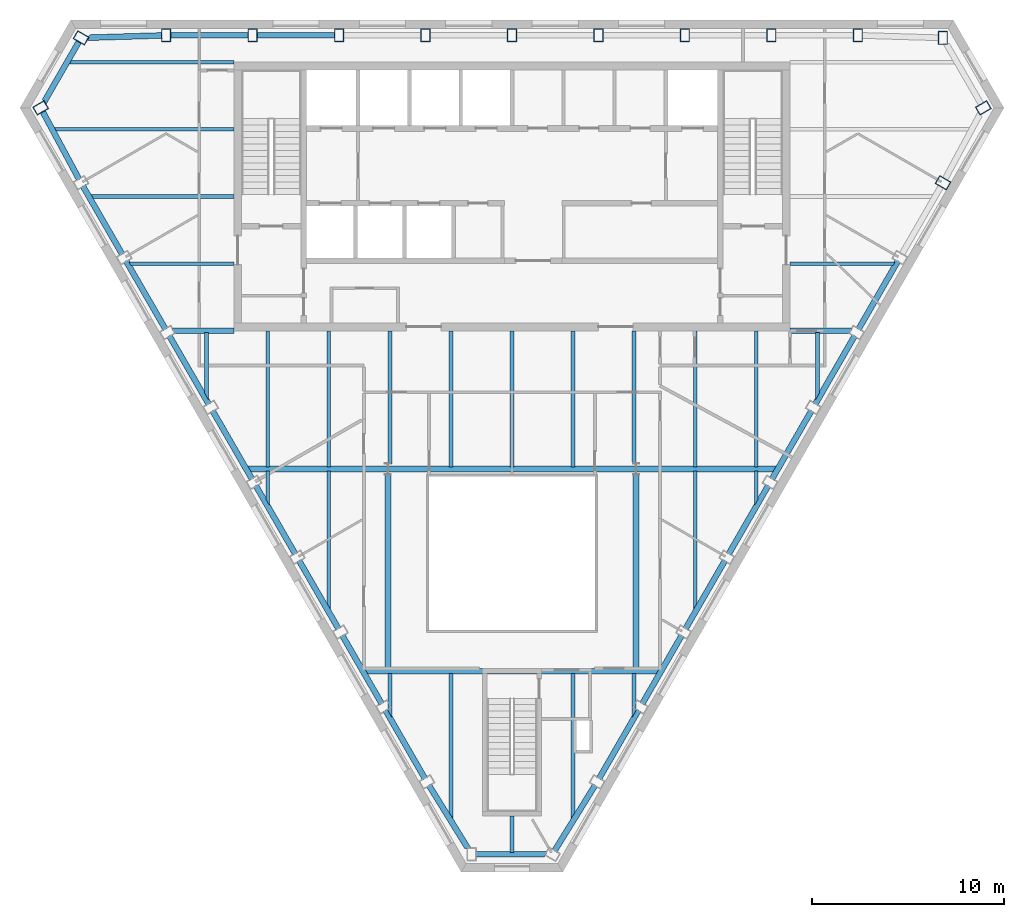
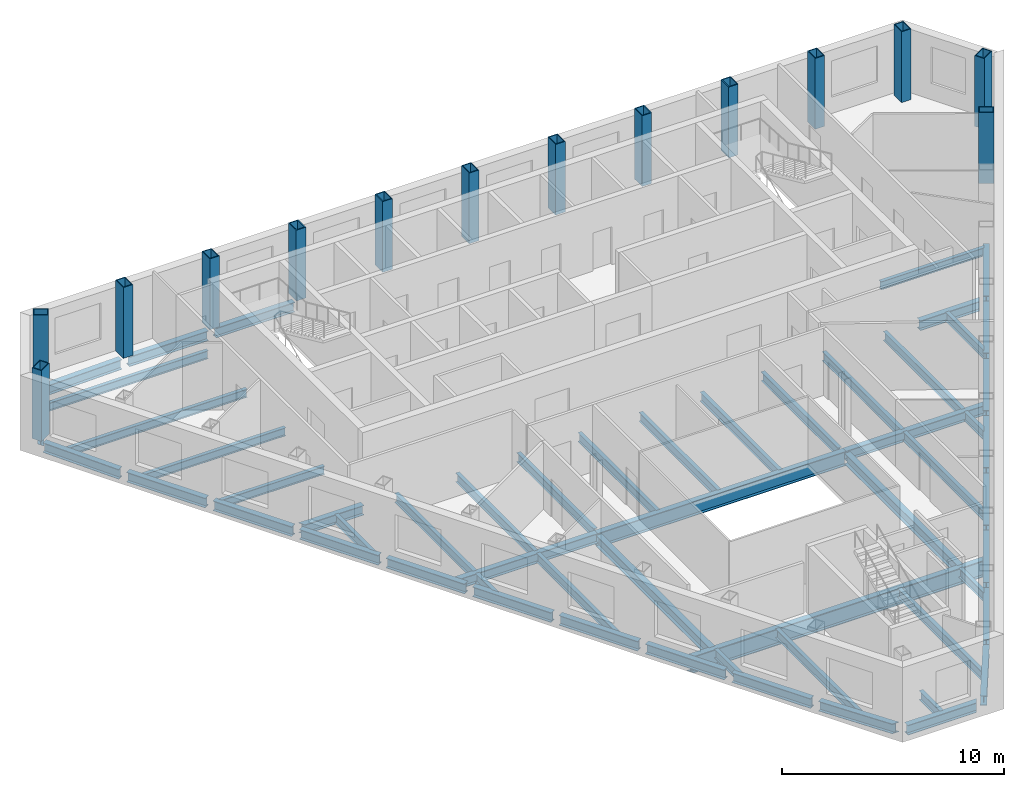
# One storey, part 2 of 10: 56 beams, 14 columns.
"""IFC4 building model written with IfcOpenShell, lengths in metres."""

from ifc_helpers import new_model, si_unit, direction, frame, origin, origin_2d, place, context, subcontext, project, spatial, hollow_rectangle, i_section, extrude, clip, halfspace, material, material_profile, profile_set, type_object, element, save


model = new_model("IFC4")

# Units and contexts
model_context = context("Model", 3, precision=1e-05, world=origin(), true_north=direction((0.0, 1.0)))
body_context = subcontext(model_context, "Body", "Model", "MODEL_VIEW")
ifc_project = project(units=[si_unit("LENGTHUNIT", "METRE"), si_unit("AREAUNIT", "SQUARE_METRE"), si_unit("VOLUMEUNIT", "CUBIC_METRE"), si_unit("PLANEANGLEUNIT", "RADIAN"), si_unit("MASSUNIT", "GRAM", prefix="KILO")], contexts=[model_context])

# Site, building, storey
site_placement = place(None, origin())
site = spatial("IfcSite", under=ifc_project, at=site_placement, CompositionType="ELEMENT")
building_placement = place(site_placement, origin())
building = spatial("IfcBuilding", under=site, at=building_placement, Name="Njiva Tower", CompositionType="ELEMENT")
storey_placement = place(building_placement, frame((0.0, 0.0, 288.3)))
storey = spatial("IfcBuildingStorey", under=building, at=storey_placement, Name="L66", CompositionType="ELEMENT", Elevation=288.3)

# Columns
ifc_material = material(Name="Steel S355 J2", Category="steel")
ifc_material_profile_1 = material_profile(ifc_material, hollow_rectangle(XDim=0.5, YDim=0.7, WallThickness=0.045, at=origin_2d()), Name="BOX 700x500x45")
ifc_profile_set_1 = profile_set([ifc_material_profile_1], Name="Steel S355 J2")
column_type = type_object("IfcColumnType", Name="C13 Perimeter tube column BOX 700x500x45", PredefinedType="COLUMN", material=ifc_profile_set_1)
for number, where, z_axis, x_axis, name in (
    (1, (22.461, 19.267, 0.0), (0.0, 0.0, 1.0), (-1.0, 0.0, 0.0), "Perimeter tube column S21-C01"),
    (2, (18.03, 19.4, 0.0), (0.0, 0.0, 1.0), (-1.0, 0.0, 0.0), "Perimeter tube column S21-C02"),
    (3, (13.523, 19.4, 0.0), (0.0, 0.0, 1.0), (-1.0, 0.0, 0.0), "Perimeter tube column S21-C03"),
    (4, (9.015, 19.4, 0.0), (0.0, 0.0, 1.0), (-1.0, 0.0, 0.0), "Perimeter tube column S21-C04"),
    (5, (4.508, 19.4, 0.0), (0.0, 0.0, 1.0), (-1.0, 0.0, 0.0), "Perimeter tube column S21-C05"),
    (6, (0.0, 19.4, 0.0), (0.0, 0.0, 1.0), (-1.0, 0.0, 0.0), "Perimeter tube column S21-C06"),
    (7, (-4.508, 19.4, 0.0), (0.0, 0.0, 1.0), (-1.0, 0.0, 0.0), "Perimeter tube column S21-C07"),
    (8, (-9.015, 19.4, 0.0), (0.0, 0.0, 1.0), (-1.0, 0.0, 0.0), "Perimeter tube column S21-C08"),
    (9, (-13.523, 19.4, 0.0), (0.0, 0.0, 1.0), (-1.0, 0.0, 0.0), "Perimeter tube column S21-C09"),
    (10, (-18.03, 19.4, 0.0), (0.0, 0.0, 1.0), (-1.0, 0.0, 0.0), "Perimeter tube column S21-C10"),
    (11, (-22.461, 19.267, 0.0), (0.0, 0.0, 1.0), (-0.5, -0.866025403784, 0.0), "Perimeter tube column S21-C11"),
    (12, (-24.568, 15.619, 0.0), (0.0, 0.0, 1.0), (0.5, -0.866025403784, 0.0), "Perimeter tube column S21-C12"),
    (13, (22.467, 11.715, 0.0), (0.0, 0.0, 1.0), (0.5, 0.866025403784, 0.0), "Perimeter tube column S21-C32"),
    (14, (24.568, 15.619, 0.0), (0.0, 0.0, 1.0), (-0.5, 0.866025403784, 0.0), "Perimeter tube column S21-C33"),
):
    element("IfcColumn", number, at=place(storey_placement, frame(where, z_axis=z_axis, x_axis=x_axis)), inside=storey, type_object=column_type, Name=name, PredefinedType="COLUMN", context=body_context, shape_type="SweptSolid", body=[
        extrude(hollow_rectangle(XDim=0.5, YDim=0.7, WallThickness=0.045, at=origin_2d()), origin(), (0.0, 0.0, 1.0), 3.9),
    ])

# Beams
ifc_material_profile_2 = material_profile(ifc_material, i_section(OverallWidth=0.3, OverallDepth=0.59, WebThickness=0.013, FlangeThickness=0.025, at=origin_2d()), Name="HEA 600")
ifc_profile_set_2 = profile_set([ifc_material_profile_2], Name="Steel S355 J2")
beam_type_1 = type_object("IfcBeamType", Name="B30 Long-span atrium trimmer beam HEA 600", PredefinedType="BEAM", material=ifc_profile_set_2)
for number, where, z_axis, x_axis, name in (
    (15, (6.47, -13.649, -0.495), (0.0, 1.0, 0.0), (-1.0, 0.0, 0.0), "Long-span atrium trimmer beam S21-B065"),
    (16, (-6.47, -3.45, -0.495), (0.0, -1.0, 0.0), (1.0, 0.0, 0.0), "Long-span atrium trimmer beam S21-B062"),
):
    element("IfcBeam", number, at=place(storey_placement, frame(where, z_axis=z_axis, x_axis=x_axis)), inside=storey, type_object=beam_type_1, Name=name, PredefinedType="BEAM", context=body_context, shape_type="SweptSolid", body=[
        extrude(i_section(OverallWidth=0.3, OverallDepth=0.59, WebThickness=0.013, FlangeThickness=0.025, at=origin_2d()), origin(), (0.0, 0.0, 1.0), 10.199),
    ])
ifc_material_profile_3 = material_profile(ifc_material, i_section(OverallWidth=0.19, OverallDepth=0.45, WebThickness=0.0094, FlangeThickness=0.0146, at=origin_2d()), Name="IPE 450")
ifc_profile_set_3 = profile_set([ifc_material_profile_3], Name="Steel S355 J2")
beam_type_2 = type_object("IfcBeamType", Name="B37 Floor beam to the core IPE 450", PredefinedType="BEAM", material=ifc_profile_set_3)
beam_1_placement = place(storey_placement, frame((-19.993, 7.5, -0.425), z_axis=(1.0, 0.0, 0.0), x_axis=(0.0, 1.0, 0.0)))
element("IfcBeam", 17, at=beam_1_placement, inside=storey, type_object=beam_type_2, Name="Floor beam to the core S21-B005", PredefinedType="BEAM", context=body_context, shape_type="Clipping", body=[
    clip(extrude(i_section(OverallWidth=0.19, OverallDepth=0.45, WebThickness=0.0094, FlangeThickness=0.0146, at=origin_2d()), origin(), (0.0, 0.0, 1.0), 5.493), halfspace(frame((-0.025, 0.0, 0.089), z_axis=(-0.499998009787, 0.0, -0.866026552831), x_axis=(0.0, -1.0, 0.0)), False)),
])
beam_2_placement = place(storey_placement, frame((14.5, 7.5, -0.425), z_axis=(1.0, 0.0, 0.0), x_axis=(0.0, 1.0, 0.0)))
element("IfcBeam", 18, at=beam_2_placement, inside=storey, type_object=beam_type_2, Name="Floor beam to the core S21-B006", PredefinedType="BEAM", context=body_context, shape_type="Clipping", body=[
    clip(extrude(i_section(OverallWidth=0.19, OverallDepth=0.45, WebThickness=0.0094, FlangeThickness=0.0146, at=origin_2d()), origin(), (0.0, 0.0, 1.0), 5.493), halfspace(frame((-0.025, 0.0, 5.404), z_axis=(-0.499998009787, 0.0, 0.866026552831), x_axis=(0.0, 1.0, 0.0)), False)),
])
beam_3_placement = place(storey_placement, frame((-22.014, 11.0, -0.425), z_axis=(1.0, 0.0, 0.0), x_axis=(0.0, 1.0, 0.0)))
element("IfcBeam", 19, at=beam_3_placement, inside=storey, type_object=beam_type_2, Name="Floor beam to the core S21-B003", PredefinedType="BEAM", context=body_context, shape_type="Clipping", body=[
    clip(extrude(i_section(OverallWidth=0.19, OverallDepth=0.45, WebThickness=0.0094, FlangeThickness=0.0146, at=origin_2d()), origin(), (0.0, 0.0, 1.0), 7.514), halfspace(frame((-0.025, 0.0, 0.0893), z_axis=(-0.499998009787, 0.0, -0.866026552831), x_axis=(0.0, -1.0, 0.0)), False)),
])
beam_4_placement = place(storey_placement, frame((-23.923, 14.5, -0.425), z_axis=(1.0, 0.0, 0.0), x_axis=(0.0, 1.0, 0.0)))
element("IfcBeam", 20, at=beam_4_placement, inside=storey, type_object=beam_type_2, Name="Floor beam to the core S21-B001", PredefinedType="BEAM", context=body_context, shape_type="Clipping", body=[
    clip(extrude(i_section(OverallWidth=0.19, OverallDepth=0.45, WebThickness=0.0094, FlangeThickness=0.0146, at=origin_2d()), origin(), (0.0, 0.0, 1.0), 9.423), halfspace(frame((-0.0237, 0.0, 0.0836), z_axis=(-0.473769423091, 0.0, -0.880648927634), x_axis=(0.0, -1.0, 0.0)), False)),
])
beam_5_placement = place(storey_placement, frame((-23.152, 18.0, -0.425), z_axis=(1.0, 0.0, 0.0), x_axis=(0.0, 1.0, 0.0)))
element("IfcBeam", 21, at=beam_5_placement, inside=storey, type_object=beam_type_2, Name="Floor beam to the core S21-B002", PredefinedType="BEAM", context=body_context, shape_type="Clipping", body=[
    clip(extrude(i_section(OverallWidth=0.19, OverallDepth=0.45, WebThickness=0.0094, FlangeThickness=0.0146, at=origin_2d()), origin(), (0.0, 0.0, 1.0), 8.652), halfspace(frame((0.025, 0.0, 0.0892), z_axis=(0.499998009787, 0.0, -0.866026552831), x_axis=(0.0, -1.0, 0.0)), False)),
])
ifc_material_profile_4 = material_profile(ifc_material, i_section(OverallWidth=0.3, OverallDepth=0.54, WebThickness=0.0125, FlangeThickness=0.024, at=origin_2d()), Name="HEA 550")
ifc_profile_set_4 = profile_set([ifc_material_profile_4], Name="Steel S355 J2")
beam_type_3 = type_object("IfcBeamType", Name="B39 Short-span spandrel beam HEA 550", PredefinedType="SPANDREL", material=ifc_profile_set_4)
beam_6_placement = place(storey_placement, frame((-9.215, 19.4, -0.47), z_axis=(-1.0, 0.0, 0.0), x_axis=(0.0, -1.0, 0.0)))
element("IfcBeam", 22, at=beam_6_placement, inside=storey, type_object=beam_type_3, Name="Short-span spandrel beam S21-B082", PredefinedType="SPANDREL", context=body_context, shape_type="SweptSolid", body=[
    extrude(i_section(OverallWidth=0.3, OverallDepth=0.54, WebThickness=0.0125, FlangeThickness=0.024, at=origin_2d()), origin(), (0.0, 0.0, 1.0), 4.108),
])
beam_7_placement = place(storey_placement, frame((-13.723, 19.4, -0.47), z_axis=(-1.0, 0.0, 0.0), x_axis=(0.0, -1.0, 0.0)))
element("IfcBeam", 23, at=beam_7_placement, inside=storey, type_object=beam_type_3, Name="Short-span spandrel beam S21-B077", PredefinedType="SPANDREL", context=body_context, shape_type="SweptSolid", body=[
    extrude(i_section(OverallWidth=0.3, OverallDepth=0.54, WebThickness=0.0125, FlangeThickness=0.024, at=origin_2d()), origin(), (0.0, 0.0, 1.0), 4.107),
])
beam_8_placement = place(storey_placement, frame((-18.234, 19.394, -0.47), z_axis=(-0.999544486246, -0.030179794811, 0.0), x_axis=(0.030179794811, -0.999544486246, 0.0)))
element("IfcBeam", 24, at=beam_8_placement, inside=storey, type_object=beam_type_3, Name="Short-span spandrel beam S21-B073", PredefinedType="SPANDREL", context=body_context, shape_type="Clipping", body=[
    clip(extrude(i_section(OverallWidth=0.3, OverallDepth=0.54, WebThickness=0.0125, FlangeThickness=0.024, at=origin_2d()), origin(), (0.0, 0.0, 1.0), 3.9898), halfspace(frame((-0.0268, 0.0, 3.86), z_axis=(-0.525906757481, 0.0, 0.850542228484), x_axis=(0.0, 1.0, 0.0)), False)),
])
beam_9_placement = place(storey_placement, frame((-22.561, 19.094, -0.47), z_axis=(-0.499864094838, -0.866103854449, 0.0), x_axis=(0.866103854449, -0.499864094838, 0.0)))
element("IfcBeam", 25, at=beam_9_placement, inside=storey, type_object=beam_type_3, Name="Short-span spandrel beam S21-B070", PredefinedType="SPANDREL", context=body_context, shape_type="Clipping", body=[
    clip(extrude(i_section(OverallWidth=0.3, OverallDepth=0.54, WebThickness=0.0125, FlangeThickness=0.024, at=origin_2d()), origin(), (0.0, 0.0, 1.0), 3.774), halfspace(frame((-0.0257, 0.0, 3.6524), z_axis=(-0.50013788288, 0.0, 0.86594578243), x_axis=(0.0, 1.0, 0.0)), False)),
])
beam_10_placement = place(storey_placement, frame((-24.471, 15.44, -0.47), z_axis=(0.47364061681, -0.880718210387, 0.0), x_axis=(0.880718210387, 0.47364061681, 0.0)))
element("IfcBeam", 26, at=beam_10_placement, inside=storey, type_object=beam_type_3, Name="Short-span spandrel beam S21-B068", PredefinedType="SPANDREL", context=body_context, shape_type="SweptSolid", body=[
    extrude(i_section(OverallWidth=0.3, OverallDepth=0.54, WebThickness=0.0125, FlangeThickness=0.024, at=origin_2d()), origin(), (0.0, 0.0, 1.0), 4.0263),
])
beam_11_placement = place(storey_placement, frame((-22.367, 11.542, -0.47), z_axis=(0.499778651271, -0.866153161822, 0.0), x_axis=(0.866153161822, 0.499778651271, 0.0)))
element("IfcBeam", 27, at=beam_11_placement, inside=storey, type_object=beam_type_3, Name="Short-span spandrel beam S21-B071", PredefinedType="SPANDREL", context=body_context, shape_type="SweptSolid", body=[
    extrude(i_section(OverallWidth=0.3, OverallDepth=0.54, WebThickness=0.0125, FlangeThickness=0.024, at=origin_2d()), origin(), (0.0, 0.0, 1.0), 4.1078),
])
beam_12_placement = place(storey_placement, frame((-20.114, 7.638, -0.47), z_axis=(0.500066662559, -0.865986912717, 0.0), x_axis=(0.865986912717, 0.500066662559, 0.0)))
element("IfcBeam", 28, at=beam_12_placement, inside=storey, type_object=beam_type_3, Name="Short-span spandrel beam S21-B074", PredefinedType="SPANDREL", context=body_context, shape_type="SweptSolid", body=[
    extrude(i_section(OverallWidth=0.3, OverallDepth=0.54, WebThickness=0.0125, FlangeThickness=0.024, at=origin_2d()), origin(), (0.0, 0.0, 1.0), 4.1075),
])
for number, where, z_axis, x_axis, name in (
    (29, (-17.86, 3.735, -0.47), (0.499961250474, -0.866047774678, 0.0), (0.866047774678, 0.499961250474, 0.0), "Short-span spandrel beam S21-B076"),
    (30, (-15.606, -0.169, -0.47), (0.499961250474, -0.866047774678, 0.0), (0.866047774678, 0.499961250474, 0.0), "Short-span spandrel beam S21-B079"),
    (31, (-13.352, -4.073, -0.47), (0.499961250474, -0.866047774678, 0.0), (0.866047774678, 0.499961250474, 0.0), "Short-span spandrel beam S21-B081"),
):
    element("IfcBeam", number, at=place(storey_placement, frame(where, z_axis=z_axis, x_axis=x_axis)), inside=storey, type_object=beam_type_3, Name=name, PredefinedType="SPANDREL", context=body_context, shape_type="SweptSolid", body=[
        extrude(i_section(OverallWidth=0.3, OverallDepth=0.54, WebThickness=0.0125, FlangeThickness=0.024, at=origin_2d()), origin(), (0.0, 0.0, 1.0), 4.1083),
    ])
beam_13_placement = place(storey_placement, frame((-11.098, -7.977, -0.47), z_axis=(0.49988405051, -0.866092336905, 0.0), x_axis=(0.866092336905, 0.49988405051, 0.0)))
element("IfcBeam", 32, at=beam_13_placement, inside=storey, type_object=beam_type_3, Name="Short-span spandrel beam S21-B084", PredefinedType="SPANDREL", context=body_context, shape_type="SweptSolid", body=[
    extrude(i_section(OverallWidth=0.3, OverallDepth=0.54, WebThickness=0.0125, FlangeThickness=0.024, at=origin_2d()), origin(), (0.0, 0.0, 1.0), 4.107),
])
for number, where, z_axis, x_axis, name in (
    (33, (-8.845, -11.88, -0.47), (0.499961250474, -0.866047774678, 0.0), (0.866047774678, 0.499961250474, 0.0), "Short-span spandrel beam S21-B086"),
    (34, (-6.591, -15.784, -0.47), (0.499961250474, -0.866047774678, 0.0), (0.866047774678, 0.499961250474, 0.0), "Short-span spandrel beam S21-B089"),
):
    element("IfcBeam", number, at=place(storey_placement, frame(where, z_axis=z_axis, x_axis=x_axis)), inside=storey, type_object=beam_type_3, Name=name, PredefinedType="SPANDREL", context=body_context, shape_type="SweptSolid", body=[
        extrude(i_section(OverallWidth=0.3, OverallDepth=0.54, WebThickness=0.0125, FlangeThickness=0.024, at=origin_2d()), origin(), (0.0, 0.0, 1.0), 4.1083),
    ])
beam_14_placement = place(storey_placement, frame((-4.33, -19.688, -0.47), z_axis=(0.525794946338, -0.850611353325, 0.0), x_axis=(0.850611353325, 0.525794946338, 0.0)))
element("IfcBeam", 35, at=beam_14_placement, inside=storey, type_object=beam_type_3, Name="Short-span spandrel beam S21-B091", PredefinedType="SPANDREL", context=body_context, shape_type="Clipping", body=[
    clip(extrude(i_section(OverallWidth=0.3, OverallDepth=0.54, WebThickness=0.0125, FlangeThickness=0.024, at=origin_2d()), origin(), (0.0, 0.0, 1.0), 3.989), halfspace(frame((-0.0262, 0.0, 3.8598), z_axis=(-0.525794946338, 0.0, 0.850611353325), x_axis=(0.0, 1.0, 0.0)), False)),
])
beam_15_placement = place(storey_placement, frame((-1.906, -23.285, -0.47), z_axis=(1.0, 0.0, 0.0), x_axis=(0.0, 1.0, 0.0)))
element("IfcBeam", 36, at=beam_15_placement, inside=storey, type_object=beam_type_3, Name="Short-span spandrel beam S21-B095", PredefinedType="SPANDREL", context=body_context, shape_type="Clipping", body=[
    clip(extrude(i_section(OverallWidth=0.3, OverallDepth=0.54, WebThickness=0.0125, FlangeThickness=0.024, at=origin_2d()), origin(), (0.0, 0.0, 1.0), 3.772), halfspace(frame((-0.0253, 0.0, 3.651), z_axis=(-0.499998009787, 0.0, 0.866026552831), x_axis=(0.0, 1.0, 0.0)), False)),
])
beam_16_placement = place(storey_placement, frame((2.214, -23.112, -0.47), z_axis=(0.525704437341, 0.850667293694, 0.0), x_axis=(-0.850667293694, 0.525704437341, 0.0)))
element("IfcBeam", 37, at=beam_16_placement, inside=storey, type_object=beam_type_3, Name="Short-span spandrel beam S21-B098", PredefinedType="SPANDREL", context=body_context, shape_type="SweptSolid", body=[
    extrude(i_section(OverallWidth=0.3, OverallDepth=0.54, WebThickness=0.0125, FlangeThickness=0.024, at=origin_2d()), origin(), (0.0, 0.0, 1.0), 4.0251),
])
for number, where, z_axis, x_axis, name in (
    (38, (4.537, -19.342, -0.47), (0.499961250474, 0.866047774678, 0.0), (-0.866047774678, 0.499961250474, 0.0), "Short-span spandrel beam S21-B100"),
    (39, (6.791, -15.438, -0.47), (0.499961250474, 0.866047774678, 0.0), (-0.866047774678, 0.499961250474, 0.0), "Short-span spandrel beam S21-B103"),
):
    element("IfcBeam", number, at=place(storey_placement, frame(where, z_axis=z_axis, x_axis=x_axis)), inside=storey, type_object=beam_type_3, Name=name, PredefinedType="SPANDREL", context=body_context, shape_type="SweptSolid", body=[
        extrude(i_section(OverallWidth=0.3, OverallDepth=0.54, WebThickness=0.0125, FlangeThickness=0.024, at=origin_2d()), origin(), (0.0, 0.0, 1.0), 4.1083),
    ])
beam_17_placement = place(storey_placement, frame((9.045, -11.534, -0.47), z_axis=(0.49988405051, 0.866092336905, 0.0), x_axis=(-0.866092336905, 0.49988405051, 0.0)))
element("IfcBeam", 40, at=beam_17_placement, inside=storey, type_object=beam_type_3, Name="Short-span spandrel beam S21-B105", PredefinedType="SPANDREL", context=body_context, shape_type="SweptSolid", body=[
    extrude(i_section(OverallWidth=0.3, OverallDepth=0.54, WebThickness=0.0125, FlangeThickness=0.024, at=origin_2d()), origin(), (0.0, 0.0, 1.0), 4.107),
])
for number, where, z_axis, x_axis, name in (
    (41, (11.298, -7.631, -0.47), (0.499961250474, 0.866047774678, 0.0), (-0.866047774678, 0.499961250474, 0.0), "Short-span spandrel beam S21-B108"),
    (42, (13.552, -3.727, -0.47), (0.499961250474, 0.866047774678, 0.0), (-0.866047774678, 0.499961250474, 0.0), "Short-span spandrel beam S21-B110"),
    (43, (15.806, 0.177, -0.47), (0.499961250474, 0.866047774678, 0.0), (-0.866047774678, 0.499961250474, 0.0), "Short-span spandrel beam S21-B113"),
):
    element("IfcBeam", number, at=place(storey_placement, frame(where, z_axis=z_axis, x_axis=x_axis)), inside=storey, type_object=beam_type_3, Name=name, PredefinedType="SPANDREL", context=body_context, shape_type="SweptSolid", body=[
        extrude(i_section(OverallWidth=0.3, OverallDepth=0.54, WebThickness=0.0125, FlangeThickness=0.024, at=origin_2d()), origin(), (0.0, 0.0, 1.0), 4.1083),
    ])
beam_18_placement = place(storey_placement, frame((18.06, 4.081, -0.47), z_axis=(0.500066662559, 0.865986912717, 0.0), x_axis=(-0.865986912717, 0.500066662559, 0.0)))
element("IfcBeam", 44, at=beam_18_placement, inside=storey, type_object=beam_type_3, Name="Short-span spandrel beam S21-B115", PredefinedType="SPANDREL", context=body_context, shape_type="SweptSolid", body=[
    extrude(i_section(OverallWidth=0.3, OverallDepth=0.54, WebThickness=0.0125, FlangeThickness=0.024, at=origin_2d()), origin(), (0.0, 0.0, 1.0), 4.1075),
])
ifc_material_profile_5 = material_profile(ifc_material, i_section(OverallWidth=0.3, OverallDepth=0.54, WebThickness=0.0125, FlangeThickness=0.024, at=origin_2d()), Name="HEA 550")
ifc_profile_set_5 = profile_set([ifc_material_profile_5], Name="Steel S355 J2")
beam_type_4 = type_object("IfcBeamType", Name="B40 Floor girder HEA 550", PredefinedType="BEAM", material=ifc_profile_set_5)
beam_19_placement = place(storey_placement, frame((-13.848, -3.2, -0.47), z_axis=(1.0, 0.0, 0.0), x_axis=(0.0, 1.0, 0.0)))
element("IfcBeam", 45, at=beam_19_placement, inside=storey, type_object=beam_type_4, Name="Floor girder S21-B013", PredefinedType="BEAM", context=body_context, shape_type="Clipping", body=[
    clip(extrude(i_section(OverallWidth=0.3, OverallDepth=0.54, WebThickness=0.0125, FlangeThickness=0.024, at=origin_2d()), origin(), (0.0, 0.0, 1.0), 7.378), halfspace(frame((-0.025, 0.0, 0.1217), z_axis=(-0.499998009787, 0.0, -0.866026552831), x_axis=(0.0, -1.0, 0.0)), False)),
])
beam_20_placement = place(storey_placement, frame((6.47, -3.2, -0.47), z_axis=(1.0, 0.0, 0.0), x_axis=(0.0, 1.0, 0.0)))
element("IfcBeam", 46, at=beam_20_placement, inside=storey, type_object=beam_type_4, Name="Floor girder S21-B014", PredefinedType="BEAM", context=body_context, shape_type="Clipping", body=[
    clip(extrude(i_section(OverallWidth=0.3, OverallDepth=0.54, WebThickness=0.0125, FlangeThickness=0.024, at=origin_2d()), origin(), (0.0, 0.0, 1.0), 7.378), halfspace(frame((-0.025, 0.0, 7.2563), z_axis=(-0.499998009787, 0.0, 0.866026552831), x_axis=(0.0, 1.0, 0.0)), False)),
])
ifc_material_profile_6 = material_profile(ifc_material, i_section(OverallWidth=0.3, OverallDepth=0.54, WebThickness=0.0125, FlangeThickness=0.024, at=origin_2d()), Name="HEA 550")
ifc_profile_set_6 = profile_set([ifc_material_profile_6], Name="Steel S355 J2")
beam_type_5 = type_object("IfcBeamType", Name="B41 Short-span floor girder HEA 550", PredefinedType="BEAM", material=ifc_profile_set_6)
beam_21_placement = place(storey_placement, frame((-17.774, 4.0, -0.47), z_axis=(1.0, 0.0, 0.0), x_axis=(0.0, 1.0, 0.0)))
element("IfcBeam", 47, at=beam_21_placement, inside=storey, type_object=beam_type_5, Name="Short-span floor girder S21-B012", PredefinedType="BEAM", context=body_context, shape_type="Clipping", body=[
    clip(extrude(i_section(OverallWidth=0.3, OverallDepth=0.54, WebThickness=0.0125, FlangeThickness=0.024, at=origin_2d()), origin(), (0.0, 0.0, 1.0), 3.274), halfspace(frame((-0.025, 0.0, 0.1217), z_axis=(-0.499998009787, 0.0, -0.866026552831), x_axis=(0.0, -1.0, 0.0)), False)),
])
beam_22_placement = place(storey_placement, frame((14.5, 4.0, -0.47), z_axis=(1.0, 0.0, 0.0), x_axis=(0.0, 1.0, 0.0)))
element("IfcBeam", 48, at=beam_22_placement, inside=storey, type_object=beam_type_5, Name="Short-span floor girder S21-B015", PredefinedType="BEAM", context=body_context, shape_type="Clipping", body=[
    clip(extrude(i_section(OverallWidth=0.3, OverallDepth=0.54, WebThickness=0.0125, FlangeThickness=0.024, at=origin_2d()), origin(), (0.0, 0.0, 1.0), 3.274), halfspace(frame((-0.025, 0.0, 3.1523), z_axis=(-0.499998009787, 0.0, 0.866026552831), x_axis=(0.0, 1.0, 0.0)), False)),
])
ifc_material_profile_7 = material_profile(ifc_material, i_section(OverallWidth=0.2, OverallDepth=0.5, WebThickness=0.0102, FlangeThickness=0.016, at=origin_2d()), Name="IPE 500")
ifc_profile_set_7 = profile_set([ifc_material_profile_7], Name="Steel S355 J2")
beam_type_6 = type_object("IfcBeamType", Name="B42 Short-span floor joist IPE 500", PredefinedType="JOIST", material=ifc_profile_set_7)
beam_23_placement = place(storey_placement, frame((-15.917, 3.9, -0.45), z_axis=(0.0, -1.0, 0.0), x_axis=(1.0, 0.0, 0.0)))
element("IfcBeam", 49, at=beam_23_placement, inside=storey, type_object=beam_type_6, Name="Short-span floor joist S21-B041", PredefinedType="JOIST", context=body_context, shape_type="Clipping", body=[
    clip(extrude(i_section(OverallWidth=0.2, OverallDepth=0.5, WebThickness=0.0102, FlangeThickness=0.016, at=origin_2d()), origin(), (0.0, 0.0, 1.0), 3.524), halfspace(frame((-0.043, 0.0, 3.2562), z_axis=(-0.866026552831, 0.0, 0.499998009787), x_axis=(0.0, 1.0, 0.0)), False)),
])
beam_24_placement = place(storey_placement, frame((-12.733, -3.3, -0.45), z_axis=(0.0, -1.0, 0.0), x_axis=(1.0, 0.0, 0.0)))
element("IfcBeam", 50, at=beam_24_placement, inside=storey, type_object=beam_type_6, Name="Short-span floor joist S21-B042", PredefinedType="JOIST", context=body_context, shape_type="Clipping", body=[
    clip(extrude(i_section(OverallWidth=0.2, OverallDepth=0.5, WebThickness=0.0102, FlangeThickness=0.016, at=origin_2d()), origin(), (0.0, 0.0, 1.0), 1.838), halfspace(frame((-0.0436, 0.0, 1.5699), z_axis=(-0.866026552831, 0.0, 0.499998009787), x_axis=(0.0, 1.0, 0.0)), False)),
])
beam_25_placement = place(storey_placement, frame((-6.367, -13.851, -0.45), z_axis=(0.0, -1.0, 0.0), x_axis=(1.0, 0.0, 0.0)))
element("IfcBeam", 51, at=beam_25_placement, inside=storey, type_object=beam_type_6, Name="Short-span floor joist S21-B046", PredefinedType="JOIST", context=body_context, shape_type="Clipping", body=[
    clip(extrude(i_section(OverallWidth=0.2, OverallDepth=0.5, WebThickness=0.0102, FlangeThickness=0.016, at=origin_2d()), origin(), (0.0, 0.0, 1.0), 2.314), halfspace(frame((-0.043, 0.0, 2.0463), z_axis=(-0.866026552831, 0.0, 0.499998009787), x_axis=(0.0, 1.0, 0.0)), False)),
])
beam_26_placement = place(storey_placement, frame((0.0, -21.3, -0.45), z_axis=(0.0, -1.0, 0.0), x_axis=(1.0, 0.0, 0.0)))
element("IfcBeam", 52, at=beam_26_placement, inside=storey, type_object=beam_type_6, Name="Short-span floor joist S21-B050", PredefinedType="JOIST", context=body_context, shape_type="SweptSolid", body=[
    extrude(i_section(OverallWidth=0.2, OverallDepth=0.5, WebThickness=0.0102, FlangeThickness=0.016, at=origin_2d()), origin(), (0.0, 0.0, 1.0), 1.885),
])
beam_27_placement = place(storey_placement, frame((6.367, -13.851, -0.45), z_axis=(0.0, -1.0, 0.0), x_axis=(1.0, 0.0, 0.0)))
element("IfcBeam", 53, at=beam_27_placement, inside=storey, type_object=beam_type_6, Name="Short-span floor joist S21-B054", PredefinedType="JOIST", context=body_context, shape_type="Clipping", body=[
    clip(extrude(i_section(OverallWidth=0.2, OverallDepth=0.5, WebThickness=0.0102, FlangeThickness=0.016, at=origin_2d()), origin(), (0.0, 0.0, 1.0), 2.314), halfspace(frame((0.043, 0.0, 2.0463), z_axis=(0.866026552831, 0.0, 0.499998009787), x_axis=(0.0, 1.0, 0.0)), False)),
])
beam_28_placement = place(storey_placement, frame((12.733, -3.3, -0.45), z_axis=(0.0, -1.0, 0.0), x_axis=(1.0, 0.0, 0.0)))
element("IfcBeam", 54, at=beam_28_placement, inside=storey, type_object=beam_type_6, Name="Short-span floor joist S21-B058", PredefinedType="JOIST", context=body_context, shape_type="Clipping", body=[
    clip(extrude(i_section(OverallWidth=0.2, OverallDepth=0.5, WebThickness=0.0102, FlangeThickness=0.016, at=origin_2d()), origin(), (0.0, 0.0, 1.0), 1.838), halfspace(frame((0.0436, 0.0, 1.5699), z_axis=(0.866026552831, 0.0, 0.499998009787), x_axis=(0.0, 1.0, 0.0)), False)),
])
beam_29_placement = place(storey_placement, frame((15.917, 3.9, -0.45), z_axis=(0.0, -1.0, 0.0), x_axis=(1.0, 0.0, 0.0)))
element("IfcBeam", 55, at=beam_29_placement, inside=storey, type_object=beam_type_6, Name="Short-span floor joist S21-B060", PredefinedType="JOIST", context=body_context, shape_type="Clipping", body=[
    clip(extrude(i_section(OverallWidth=0.2, OverallDepth=0.5, WebThickness=0.0102, FlangeThickness=0.016, at=origin_2d()), origin(), (0.0, 0.0, 1.0), 3.524), halfspace(frame((0.043, 0.0, 3.2562), z_axis=(0.866026552831, 0.0, 0.499998009787), x_axis=(0.0, 1.0, 0.0)), False)),
])
ifc_material_profile_8 = material_profile(ifc_material, i_section(OverallWidth=0.2, OverallDepth=0.5, WebThickness=0.0102, FlangeThickness=0.016, at=origin_2d()), Name="IPE 500")
ifc_profile_set_8 = profile_set([ifc_material_profile_8], Name="Steel S355 J2")
beam_type_7 = type_object("IfcBeamType", Name="B43 Floor joist IPE 500", PredefinedType="JOIST", material=ifc_profile_set_8)
for number, where, z_axis, x_axis, name in (
    (56, (-12.733, 3.995, -0.45), (0.0, -1.0, 0.0), (1.0, 0.0, 0.0), "Floor joist S21-B043"),
    (57, (-9.55, 3.995, -0.45), (0.0, -1.0, 0.0), (1.0, 0.0, 0.0), "Floor joist S21-B045"),
):
    element("IfcBeam", number, at=place(storey_placement, frame(where, z_axis=z_axis, x_axis=x_axis)), inside=storey, type_object=beam_type_7, Name=name, PredefinedType="JOIST", context=body_context, shape_type="SweptSolid", body=[
        extrude(i_section(OverallWidth=0.2, OverallDepth=0.5, WebThickness=0.0102, FlangeThickness=0.016, at=origin_2d()), origin(), (0.0, 0.0, 1.0), 7.095),
    ])
beam_30_placement = place(storey_placement, frame((-9.55, -3.3, -0.45), z_axis=(0.0, -1.0, 0.0), x_axis=(1.0, 0.0, 0.0)))
element("IfcBeam", 58, at=beam_30_placement, inside=storey, type_object=beam_type_7, Name="Floor joist S21-B044", PredefinedType="JOIST", context=body_context, shape_type="Clipping", body=[
    clip(extrude(i_section(OverallWidth=0.2, OverallDepth=0.5, WebThickness=0.0102, FlangeThickness=0.016, at=origin_2d()), origin(), (0.0, 0.0, 1.0), 7.352), halfspace(frame((-0.0433, 0.0, 7.0836), z_axis=(-0.866026552831, 0.0, 0.499998009787), x_axis=(0.0, 1.0, 0.0)), False)),
])
beam_31_placement = place(storey_placement, frame((-6.367, 3.995, -0.45), z_axis=(0.0, -1.0, 0.0), x_axis=(1.0, 0.0, 0.0)))
element("IfcBeam", 59, at=beam_31_placement, inside=storey, type_object=beam_type_7, Name="Floor joist S21-B047", PredefinedType="JOIST", context=body_context, shape_type="SweptSolid", body=[
    extrude(i_section(OverallWidth=0.2, OverallDepth=0.5, WebThickness=0.0102, FlangeThickness=0.016, at=origin_2d()), origin(), (0.0, 0.0, 1.0), 6.945),
])
beam_32_placement = place(storey_placement, frame((-3.183, 3.995, -0.45), z_axis=(0.0, -1.0, 0.0), x_axis=(1.0, 0.0, 0.0)))
element("IfcBeam", 60, at=beam_32_placement, inside=storey, type_object=beam_type_7, Name="Floor joist S21-B049", PredefinedType="JOIST", context=body_context, shape_type="SweptSolid", body=[
    extrude(i_section(OverallWidth=0.2, OverallDepth=0.5, WebThickness=0.0102, FlangeThickness=0.016, at=origin_2d()), origin(), (0.0, 0.0, 1.0), 7.095),
])
beam_33_placement = place(storey_placement, frame((-3.183, -13.851, -0.45), z_axis=(0.0, -1.0, 0.0), x_axis=(1.0, 0.0, 0.0)))
element("IfcBeam", 61, at=beam_33_placement, inside=storey, type_object=beam_type_7, Name="Floor joist S21-B048", PredefinedType="JOIST", context=body_context, shape_type="Clipping", body=[
    clip(extrude(i_section(OverallWidth=0.2, OverallDepth=0.5, WebThickness=0.0102, FlangeThickness=0.016, at=origin_2d()), origin(), (0.0, 0.0, 1.0), 7.684), halfspace(frame((-0.0429, 0.0, 7.4328), z_axis=(-0.850620428373, 0.0, 0.525780264783), x_axis=(0.0, 1.0, 0.0)), False)),
])
for number, where, z_axis, x_axis, name in (
    (62, (0.0, 3.995, -0.45), (0.0, -1.0, 0.0), (1.0, 0.0, 0.0), "Floor joist S21-B051"),
    (63, (3.183, 3.995, -0.45), (0.0, -1.0, 0.0), (1.0, 0.0, 0.0), "Floor joist S21-B053"),
):
    element("IfcBeam", number, at=place(storey_placement, frame(where, z_axis=z_axis, x_axis=x_axis)), inside=storey, type_object=beam_type_7, Name=name, PredefinedType="JOIST", context=body_context, shape_type="SweptSolid", body=[
        extrude(i_section(OverallWidth=0.2, OverallDepth=0.5, WebThickness=0.0102, FlangeThickness=0.016, at=origin_2d()), origin(), (0.0, 0.0, 1.0), 7.095),
    ])
beam_34_placement = place(storey_placement, frame((3.183, -13.851, -0.45), z_axis=(0.0, -1.0, 0.0), x_axis=(1.0, 0.0, 0.0)))
element("IfcBeam", 64, at=beam_34_placement, inside=storey, type_object=beam_type_7, Name="Floor joist S21-B052", PredefinedType="JOIST", context=body_context, shape_type="Clipping", body=[
    clip(extrude(i_section(OverallWidth=0.2, OverallDepth=0.5, WebThickness=0.0102, FlangeThickness=0.016, at=origin_2d()), origin(), (0.0, 0.0, 1.0), 7.684), halfspace(frame((0.0429, 0.0, 7.4328), z_axis=(0.850620428373, 0.0, 0.525780264783), x_axis=(0.0, 1.0, 0.0)), False)),
])
beam_35_placement = place(storey_placement, frame((6.367, 3.995, -0.45), z_axis=(0.0, -1.0, 0.0), x_axis=(1.0, 0.0, 0.0)))
element("IfcBeam", 65, at=beam_35_placement, inside=storey, type_object=beam_type_7, Name="Floor joist S21-B055", PredefinedType="JOIST", context=body_context, shape_type="SweptSolid", body=[
    extrude(i_section(OverallWidth=0.2, OverallDepth=0.5, WebThickness=0.0102, FlangeThickness=0.016, at=origin_2d()), origin(), (0.0, 0.0, 1.0), 6.945),
])
beam_36_placement = place(storey_placement, frame((9.55, 3.995, -0.45), z_axis=(0.0, -1.0, 0.0), x_axis=(1.0, 0.0, 0.0)))
element("IfcBeam", 66, at=beam_36_placement, inside=storey, type_object=beam_type_7, Name="Floor joist S21-B057", PredefinedType="JOIST", context=body_context, shape_type="SweptSolid", body=[
    extrude(i_section(OverallWidth=0.2, OverallDepth=0.5, WebThickness=0.0102, FlangeThickness=0.016, at=origin_2d()), origin(), (0.0, 0.0, 1.0), 7.095),
])
beam_37_placement = place(storey_placement, frame((9.55, -3.3, -0.45), z_axis=(0.0, -1.0, 0.0), x_axis=(1.0, 0.0, 0.0)))
element("IfcBeam", 67, at=beam_37_placement, inside=storey, type_object=beam_type_7, Name="Floor joist S21-B056", PredefinedType="JOIST", context=body_context, shape_type="Clipping", body=[
    clip(extrude(i_section(OverallWidth=0.2, OverallDepth=0.5, WebThickness=0.0102, FlangeThickness=0.016, at=origin_2d()), origin(), (0.0, 0.0, 1.0), 7.352), halfspace(frame((0.0433, 0.0, 7.0836), z_axis=(0.866026552831, 0.0, 0.499998009787), x_axis=(0.0, 1.0, 0.0)), False)),
])
beam_38_placement = place(storey_placement, frame((12.733, 3.995, -0.45), z_axis=(0.0, -1.0, 0.0), x_axis=(1.0, 0.0, 0.0)))
element("IfcBeam", 68, at=beam_38_placement, inside=storey, type_object=beam_type_7, Name="Floor joist S21-B059", PredefinedType="JOIST", context=body_context, shape_type="SweptSolid", body=[
    extrude(i_section(OverallWidth=0.2, OverallDepth=0.5, WebThickness=0.0102, FlangeThickness=0.016, at=origin_2d()), origin(), (0.0, 0.0, 1.0), 7.095),
])
ifc_material_profile_9 = material_profile(ifc_material, i_section(OverallWidth=0.302, OverallDepth=0.91, WebThickness=0.021, FlangeThickness=0.04, at=origin_2d()), Name="HEM 900")
ifc_profile_set_9 = profile_set([ifc_material_profile_9], Name="Steel S355 J2")
beam_type_8 = type_object("IfcBeamType", Name="B8 Long-span atrium trimmer beam HEM 900", PredefinedType="BEAM", material=ifc_profile_set_9)
beam_39_placement = place(storey_placement, frame((-7.757, -13.75, -0.655), z_axis=(1.0, 0.0, 0.0), x_axis=(0.0, 1.0, 0.0)))
element("IfcBeam", 69, at=beam_39_placement, inside=storey, type_object=beam_type_8, Name="Long-span atrium trimmer beam S21-B061", PredefinedType="BEAM", context=body_context, shape_type="Clipping", body=[
    clip(clip(extrude(i_section(OverallWidth=0.302, OverallDepth=0.91, WebThickness=0.021, FlangeThickness=0.04, at=origin_2d()), origin(), (0.0, 0.0, 1.0), 15.514), halfspace(frame((-0.025, 0.0, 0.1217), z_axis=(-0.499998009787, 0.0, -0.866026552831), x_axis=(0.0, -1.0, 0.0)), False)), halfspace(frame((-0.025, 0.0, 15.3923), z_axis=(-0.499998009787, 0.0, 0.866026552831), x_axis=(0.0, 1.0, 0.0)), False)),
])
ifc_material_profile_10 = material_profile(ifc_material, i_section(OverallWidth=0.3, OverallDepth=0.79, WebThickness=0.015, FlangeThickness=0.028, at=origin_2d()), Name="HEA 800")
ifc_profile_set_10 = profile_set([ifc_material_profile_10], Name="Steel S355 J2")
beam_type_9 = type_object("IfcBeamType", Name="B9 Long-span atrium trimmer beam HEA 800", PredefinedType="BEAM", material=ifc_profile_set_10)
beam_40_placement = place(storey_placement, frame((6.47, -3.2, -0.595), z_axis=(-1.0, 0.0, 0.0), x_axis=(0.0, -1.0, 0.0)))
element("IfcBeam", 70, at=beam_40_placement, inside=storey, type_object=beam_type_9, Name="Long-span atrium trimmer beam S21-B064", PredefinedType="BEAM", context=body_context, shape_type="SweptSolid", body=[
    extrude(i_section(OverallWidth=0.3, OverallDepth=0.79, WebThickness=0.015, FlangeThickness=0.028, at=origin_2d()), origin(), (0.0, 0.0, 1.0), 12.94),
])

save(model, "model.ifc")
